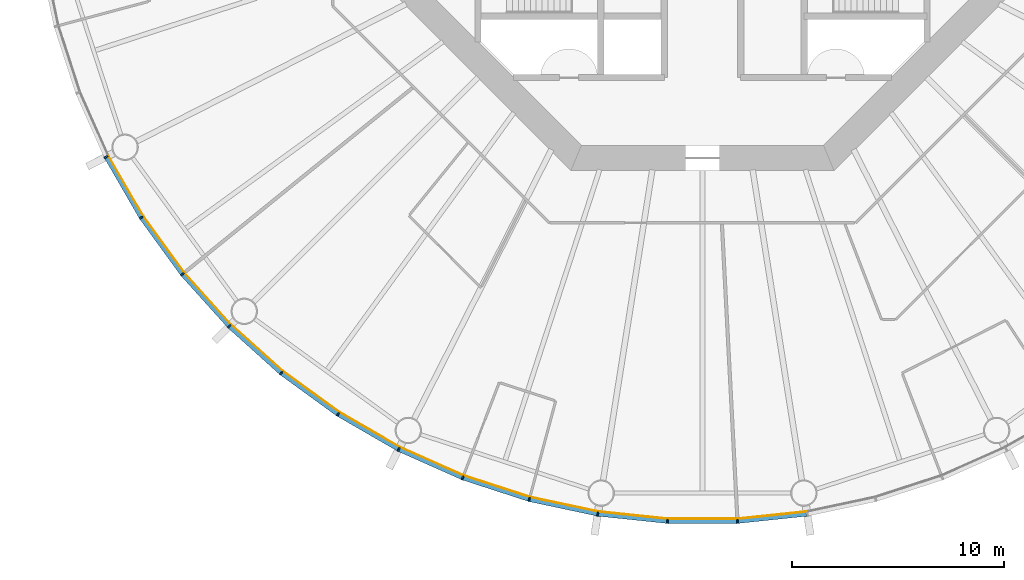
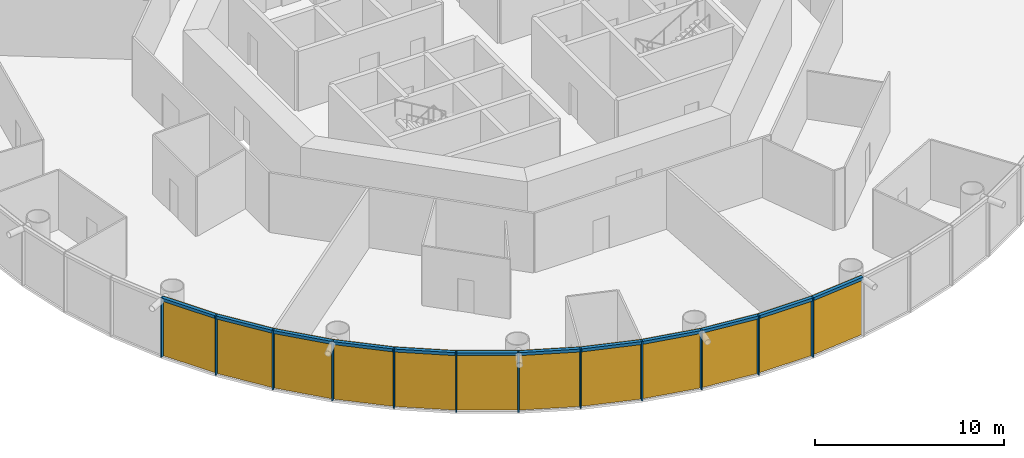
# One storey, part 7 of 13: 24 members, 4 curtain walls.
"""IFC4 building model written with IfcOpenShell, lengths in metres."""

from ifc_helpers import new_model, si_unit, direction, frame, origin, origin_2d, place, context, subcontext, project, spatial, polyline, rectangle, outline, extrude, material, layer, layer_set, material_profile, profile_set, type_object, element, aggregate, save


model = new_model("IFC4")

# Units and contexts
model_context = context("Model", 3, precision=1e-05, world=origin(), true_north=direction((0.0, 1.0)))
body_context = subcontext(model_context, "Body", "Model", "MODEL_VIEW")
ifc_project = project(units=[si_unit("LENGTHUNIT", "METRE"), si_unit("AREAUNIT", "SQUARE_METRE"), si_unit("VOLUMEUNIT", "CUBIC_METRE"), si_unit("PLANEANGLEUNIT", "RADIAN"), si_unit("MASSUNIT", "GRAM", prefix="KILO")], contexts=[model_context])

# Member
ifc_material_1 = material(Name="Anodised aluminium", Category="aluminium")
ifc_material_profile_1 = material_profile(ifc_material_1, rectangle(XDim=0.070068359375, YDim=0.199951171875, at=origin_2d()), Name="Mullion 70 x 200 mm anodised aluminium")
ifc_profile_set_1 = profile_set([ifc_material_profile_1], Name="Anodised aluminium")
member_type_1 = type_object("IfcMemberType", Name="Mullion 70 x 200 mm anodised aluminium", PredefinedType="MULLION", material=ifc_profile_set_1)
site_placement = place(None, origin())
building_placement = place(site_placement, origin())
storey_placement = place(building_placement, frame((0.0, 0.0, 92.0)))
member_1_placement = place(storey_placement, frame((61.84423828125, 65.65380859375, 0.0), z_axis=(0.0, 0.0, 1.0), x_axis=(0.45399049974, -0.891006524188, 0.0)))
member_1 = element("IfcMember", 1, at=member_1_placement, type_object=member_type_1, Name="MULLION L20-33", PredefinedType="MULLION", context=body_context, shape_type="SweptSolid", body=[
    extrude(rectangle(XDim=0.070068359375, YDim=0.199951171875, at=origin_2d()), origin(), (0.0, 0.0, 1.0), 3.85009765625),
])

member_2_placement = place(storey_placement, frame((63.498046875, 62.789306640625, 0.0), z_axis=(0.0, 0.0, 1.0), x_axis=(0.544639035015, -0.838670567945, 0.0)))
member_2 = element("IfcMember", 2, at=member_2_placement, type_object=member_type_1, Name="MULLION L20-34", PredefinedType="MULLION", context=body_context, shape_type="SweptSolid", body=[
    extrude(rectangle(XDim=0.070068359375, YDim=0.199951171875, at=origin_2d()), origin(), (0.0, 0.0, 1.0), 3.85009765625),
])

member_3_placement = place(storey_placement, frame((65.442138671875, 60.113525390625, 0.0), z_axis=(0.0, 0.0, 1.0), x_axis=(0.62932039105, -0.777145961457, 0.0)))
member_3 = element("IfcMember", 3, at=member_3_placement, type_object=member_type_1, Name="MULLION L20-35", PredefinedType="MULLION", context=body_context, shape_type="SweptSolid", body=[
    extrude(rectangle(XDim=0.070068359375, YDim=0.199951171875, at=origin_2d()), origin(), (0.0, 0.0, 1.0), 3.85009765625),
])

member_4_placement = place(storey_placement, frame((67.655517578125, 57.655517578125, 0.0), z_axis=(0.0, 0.0, 1.0), x_axis=(0.707106781187, -0.707106781187, 0.0)))
member_4 = element("IfcMember", 4, at=member_4_placement, type_object=member_type_1, Name="MULLION L20-36", PredefinedType="MULLION", context=body_context, shape_type="SweptSolid", body=[
    extrude(rectangle(XDim=0.070068359375, YDim=0.199951171875, at=origin_2d()), origin(), (0.0, 0.0, 1.0), 3.85009765625),
])

member_5_placement = place(storey_placement, frame((70.113525390625, 55.442138671875, 0.0), z_axis=(0.0, 0.0, 1.0), x_axis=(0.777145961457, -0.62932039105, 0.0)))
member_5 = element("IfcMember", 5, at=member_5_placement, type_object=member_type_1, Name="MULLION L20-37", PredefinedType="MULLION", context=body_context, shape_type="SweptSolid", body=[
    extrude(rectangle(XDim=0.070068359375, YDim=0.199951171875, at=origin_2d()), origin(), (0.0, 0.0, 1.0), 3.85009765625),
])

member_6_placement = place(storey_placement, frame((72.789306640625, 53.498046875, 0.0), z_axis=(0.0, 0.0, 1.0), x_axis=(0.838670567945, -0.544639035015, 0.0)))
member_6 = element("IfcMember", 6, at=member_6_placement, type_object=member_type_1, Name="MULLION L20-38", PredefinedType="MULLION", context=body_context, shape_type="SweptSolid", body=[
    extrude(rectangle(XDim=0.070068359375, YDim=0.199951171875, at=origin_2d()), origin(), (0.0, 0.0, 1.0), 3.85009765625),
])

member_7_placement = place(storey_placement, frame((75.65380859375, 51.84423828125, 0.0), z_axis=(0.0, 0.0, 1.0), x_axis=(0.891006524188, -0.45399049974, 0.0)))
member_7 = element("IfcMember", 7, at=member_7_placement, type_object=member_type_1, Name="MULLION L20-39", PredefinedType="MULLION", context=body_context, shape_type="SweptSolid", body=[
    extrude(rectangle(XDim=0.070068359375, YDim=0.199951171875, at=origin_2d()), origin(), (0.0, 0.0, 1.0), 3.85009765625),
])

member_8_placement = place(storey_placement, frame((78.675537109375, 50.498779296875, 0.0), z_axis=(0.0, 0.0, 1.0), x_axis=(0.933580426497, -0.358367949545, 0.0)))
member_8 = element("IfcMember", 8, at=member_8_placement, type_object=member_type_1, Name="MULLION L20-40", PredefinedType="MULLION", context=body_context, shape_type="SweptSolid", body=[
    extrude(rectangle(XDim=0.070068359375, YDim=0.199951171875, at=origin_2d()), origin(), (0.0, 0.0, 1.0), 3.85009765625),
])

member_9_placement = place(storey_placement, frame((81.8212890625, 49.476806640625, 0.0), z_axis=(0.0, 0.0, 1.0), x_axis=(0.965925826289, -0.258819045103, 0.0)))
member_9 = element("IfcMember", 9, at=member_9_placement, type_object=member_type_1, Name="MULLION L20-41", PredefinedType="MULLION", context=body_context, shape_type="SweptSolid", body=[
    extrude(rectangle(XDim=0.070068359375, YDim=0.199951171875, at=origin_2d()), origin(), (0.0, 0.0, 1.0), 3.85009765625),
])

member_10_placement = place(storey_placement, frame((85.056640625, 48.7890625, 0.0), z_axis=(0.0, 0.0, 1.0), x_axis=(0.987688340595, -0.15643446504, 0.0)))
member_10 = element("IfcMember", 10, at=member_10_placement, type_object=member_type_1, Name="MULLION L20-42", PredefinedType="MULLION", context=body_context, shape_type="SweptSolid", body=[
    extrude(rectangle(XDim=0.070068359375, YDim=0.199951171875, at=origin_2d()), origin(), (0.0, 0.0, 1.0), 3.85009765625),
])

member_11_placement = place(storey_placement, frame((88.34619140625, 48.443359375, 0.0), z_axis=(0.0, 0.0, 1.0), x_axis=(0.998629534755, -0.052335956243, 0.0)))
member_11 = element("IfcMember", 11, at=member_11_placement, type_object=member_type_1, Name="MULLION L20-43", PredefinedType="MULLION", context=body_context, shape_type="SweptSolid", body=[
    extrude(rectangle(XDim=0.070068359375, YDim=0.199951171875, at=origin_2d()), origin(), (0.0, 0.0, 1.0), 3.85009765625),
])

member_12_placement = place(storey_placement, frame((91.65380859375, 48.443359375, 0.0), z_axis=(0.0, 0.0, 1.0), x_axis=(0.998629534755, 0.052335956243, 0.0)))
member_12 = element("IfcMember", 12, at=member_12_placement, type_object=member_type_1, Name="MULLION L20-44", PredefinedType="MULLION", context=body_context, shape_type="SweptSolid", body=[
    extrude(rectangle(XDim=0.070068359375, YDim=0.199951171875, at=origin_2d()), origin(), (0.0, 0.0, 1.0), 3.85009765625),
])

ifc_material_2 = material(Name="Anodised aluminium", Category="aluminium")
ifc_material_profile_2 = material_profile(ifc_material_2, rectangle(XDim=0.199951171875, YDim=0.18994140625, at=origin_2d()), Name="Transom 190 x 200 mm anodised aluminium")
ifc_profile_set_2 = profile_set([ifc_material_profile_2], Name="Anodised aluminium")
member_type_2 = type_object("IfcMemberType", Name="Transom 190 x 200 mm anodised aluminium", PredefinedType="USERDEFINED", material=ifc_profile_set_2)
member_13_placement = place(storey_placement, frame((61.8642578125, 65.618896484375, 3.7548828125), z_axis=(0.500004055213, -0.866023062494, 0.0), x_axis=(0.866023062494, 0.500004055213, 0.0)))
member_13 = element("IfcMember", 13, at=member_13_placement, type_object=member_type_2, Name="TRANSOM L20-33", ObjectType="TRANSOM", PredefinedType="USERDEFINED", context=body_context, shape_type="SweptSolid", body=[
    extrude(rectangle(XDim=0.199951171875, YDim=0.18994140625, at=origin_2d()), origin(), (0.0, 0.0, 1.0), 3.22705078125),
])

member_14_placement = place(storey_placement, frame((63.521484375, 62.7568359375, 3.7548828125), z_axis=(0.587802790201, -0.809004252048, 0.0), x_axis=(0.809004252048, 0.587802790201, 0.0)))
member_14 = element("IfcMember", 14, at=member_14_placement, type_object=member_type_2, Name="TRANSOM L20-34", ObjectType="TRANSOM", PredefinedType="USERDEFINED", context=body_context, shape_type="SweptSolid", body=[
    extrude(rectangle(XDim=0.199951171875, YDim=0.18994140625, at=origin_2d()), origin(), (0.0, 0.0, 1.0), 3.227294921875),
])

member_15_placement = place(storey_placement, frame((65.468994140625, 60.08349609375, 3.7548828125), z_axis=(0.669144438484, -0.743132370743, 0.0), x_axis=(0.743132370743, 0.669144438484, 0.0)))
member_15 = element("IfcMember", 15, at=member_15_placement, type_object=member_type_2, Name="TRANSOM L20-35", ObjectType="TRANSOM", PredefinedType="USERDEFINED", context=body_context, shape_type="SweptSolid", body=[
    extrude(rectangle(XDim=0.199951171875, YDim=0.18994140625, at=origin_2d()), origin(), (0.0, 0.0, 1.0), 3.22705078125),
])

member_16_placement = place(storey_placement, frame((67.685302734375, 57.62841796875, 3.7548828125), z_axis=(0.743132370743, -0.669144438484, 0.0), x_axis=(0.669144438484, 0.743132370743, 0.0)))
member_16 = element("IfcMember", 16, at=member_16_placement, type_object=member_type_2, Name="TRANSOM L20-36", ObjectType="TRANSOM", PredefinedType="USERDEFINED", context=body_context, shape_type="SweptSolid", body=[
    extrude(rectangle(XDim=0.199951171875, YDim=0.18994140625, at=origin_2d()), origin(), (0.0, 0.0, 1.0), 3.22705078125),
])

member_17_placement = place(storey_placement, frame((70.14599609375, 55.41845703125, 3.7548828125), z_axis=(0.809004252048, -0.587802790201, 0.0), x_axis=(0.587802790201, 0.809004252048, 0.0)))
member_17 = element("IfcMember", 17, at=member_17_placement, type_object=member_type_2, Name="TRANSOM L20-37", ObjectType="TRANSOM", PredefinedType="USERDEFINED", context=body_context, shape_type="SweptSolid", body=[
    extrude(rectangle(XDim=0.199951171875, YDim=0.18994140625, at=origin_2d()), origin(), (0.0, 0.0, 1.0), 3.227294921875),
])

member_18_placement = place(storey_placement, frame((72.82421875, 53.477783203125, 3.7548828125), z_axis=(0.866023062494, -0.500004055213, 0.0), x_axis=(0.500004055213, 0.866023062494, 0.0)))
member_18 = element("IfcMember", 18, at=member_18_placement, type_object=member_type_2, Name="TRANSOM L20-38", ObjectType="TRANSOM", PredefinedType="USERDEFINED", context=body_context, shape_type="SweptSolid", body=[
    extrude(rectangle(XDim=0.199951171875, YDim=0.18994140625, at=origin_2d()), origin(), (0.0, 0.0, 1.0), 3.22705078125),
])

member_19_placement = place(storey_placement, frame((75.690673828125, 51.82763671875, 3.7548828125), z_axis=(0.913549291349, -0.406728032322, 0.0), x_axis=(0.406728032322, 0.913549291349, 0.0)))
member_19 = element("IfcMember", 19, at=member_19_placement, type_object=member_type_2, Name="TRANSOM L20-39", ObjectType="TRANSOM", PredefinedType="USERDEFINED", context=body_context, shape_type="SweptSolid", body=[
    extrude(rectangle(XDim=0.199951171875, YDim=0.18994140625, at=origin_2d()), origin(), (0.0, 0.0, 1.0), 3.22705078125),
])

member_20_placement = place(storey_placement, frame((78.7138671875, 50.486328125, 3.7548828125), z_axis=(0.951046855117, -0.309046726844, 0.0), x_axis=(0.309046726844, 0.951046855117, 0.0)))
member_20 = element("IfcMember", 20, at=member_20_placement, type_object=member_type_2, Name="TRANSOM L20-40", ObjectType="TRANSOM", PredefinedType="USERDEFINED", context=body_context, shape_type="SweptSolid", body=[
    extrude(rectangle(XDim=0.199951171875, YDim=0.18994140625, at=origin_2d()), origin(), (0.0, 0.0, 1.0), 3.22705078125),
])

member_21_placement = place(storey_placement, frame((81.860595703125, 49.46826171875, 3.7548828125), z_axis=(0.978153082647, -0.207885898771, 0.0), x_axis=(0.207885898771, 0.978153082647, 0.0)))
member_21 = element("IfcMember", 21, at=member_21_placement, type_object=member_type_2, Name="TRANSOM L20-41", ObjectType="TRANSOM", PredefinedType="USERDEFINED", context=body_context, shape_type="SweptSolid", body=[
    extrude(rectangle(XDim=0.199951171875, YDim=0.18994140625, at=origin_2d()), origin(), (0.0, 0.0, 1.0), 3.227294921875),
])

member_22_placement = place(storey_placement, frame((85.0966796875, 48.78466796875, 3.7548828125), z_axis=(0.994519537956, -0.104550890115, 0.0), x_axis=(0.104550890115, 0.994519537956, 0.0)))
member_22 = element("IfcMember", 22, at=member_22_placement, type_object=member_type_2, Name="TRANSOM L20-42", ObjectType="TRANSOM", PredefinedType="USERDEFINED", context=body_context, shape_type="SweptSolid", body=[
    extrude(rectangle(XDim=0.199951171875, YDim=0.18994140625, at=origin_2d()), origin(), (0.0, 0.0, 1.0), 3.22705078125),
])

member_23_placement = place(storey_placement, frame((88.386474609375, 48.443115234375, 3.7548828125), z_axis=(1.0, 0.0, 0.0), x_axis=(0.0, 1.0, 0.0)))
member_23 = element("IfcMember", 23, at=member_23_placement, type_object=member_type_2, Name="TRANSOM L20-43", ObjectType="TRANSOM", PredefinedType="USERDEFINED", context=body_context, shape_type="SweptSolid", body=[
    extrude(rectangle(XDim=0.199951171875, YDim=0.18994140625, at=origin_2d()), origin(), (0.0, 0.0, 1.0), 3.22705078125),
])

member_24_placement = place(storey_placement, frame((91.69384765625, 48.447265625, 3.7548828125), z_axis=(0.994519537956, 0.104550890115, 0.0), x_axis=(-0.104550890115, 0.994519537956, 0.0)))
member_24 = element("IfcMember", 24, at=member_24_placement, type_object=member_type_2, Name="TRANSOM L20-44", ObjectType="TRANSOM", PredefinedType="USERDEFINED", context=body_context, shape_type="SweptSolid", body=[
    extrude(rectangle(XDim=0.199951171875, YDim=0.18994140625, at=origin_2d()), origin(), (0.0, 0.0, 1.0), 3.22705078125),
])

# Site, building, storey
site = spatial("IfcSite", under=ifc_project, at=site_placement, CompositionType="ELEMENT")
building = spatial("IfcBuilding", under=site, at=building_placement, Name="Entoto Ring Tower", CompositionType="ELEMENT")
storey = spatial("IfcBuildingStorey", under=building, at=storey_placement, Name="L20", CompositionType="ELEMENT", Elevation=92.0)

# Curtain wall
ifc_material_3 = material(Name="Clear low-iron glass", Category="glass")
ifc_layer = layer(ifc_material_3, 0.035888671875)
ifc_layer_set = layer_set([ifc_layer], Name="Clear low-iron glass")
curtain_wall_type = type_object("IfcCurtainWallType", Name="Curtain wall system CW2 glazing 36 mm", PredefinedType="NOTDEFINED", material=ifc_layer_set)
curtain_wall_1_placement = place(storey_placement, origin())
curtain_wall_1 = element("IfcCurtainWall", 25, at=curtain_wall_1_placement, inside=storey, type_object=curtain_wall_type, Name="CW2 L20-12", PredefinedType="NOTDEFINED", context=body_context, shape_type="SweptSolid", body=[
    extrude(outline(polyline([(61.933349609375, 65.69921875), (63.581787109375, 62.84375), (65.52001953125, 60.176513671875), (67.72607421875, 57.72607421875), (67.751708984375, 57.751708984375), (65.5478515625, 60.198974609375), (63.612060546875, 62.863525390625), (61.96533203125, 65.715576171875), (61.933349609375, 65.69921875)])), origin(), (0.0, 0.0, 1.0), 3.85009765625),
])

aggregate(curtain_wall_1, [member_1, member_2, member_3, member_13, member_14, member_15])

curtain_wall_2_placement = place(storey_placement, origin())
curtain_wall_2 = element("IfcCurtainWall", 26, at=curtain_wall_2_placement, inside=storey, type_object=curtain_wall_type, Name="CW2 L20-13", PredefinedType="NOTDEFINED", context=body_context, shape_type="SweptSolid", body=[
    extrude(outline(polyline([(67.72607421875, 57.72607421875), (70.176513671875, 55.52001953125), (72.84375, 53.581787109375), (75.69921875, 51.933349609375), (75.715576171875, 51.96533203125), (72.863525390625, 53.612060546875), (70.198974609375, 55.5478515625), (67.751708984375, 57.751708984375), (67.72607421875, 57.72607421875)])), origin(), (0.0, 0.0, 1.0), 3.85009765625),
])

aggregate(curtain_wall_2, [member_4, member_5, member_6, member_16, member_17, member_18])

curtain_wall_3_placement = place(storey_placement, origin())
curtain_wall_3 = element("IfcCurtainWall", 27, at=curtain_wall_3_placement, inside=storey, type_object=curtain_wall_type, Name="CW2 L20-14", PredefinedType="NOTDEFINED", context=body_context, shape_type="SweptSolid", body=[
    extrude(outline(polyline([(75.69921875, 51.933349609375), (78.71142578125, 50.59228515625), (81.84716796875, 49.5732421875), (85.072265625, 48.8876953125), (85.077880859375, 48.92333984375), (81.8564453125, 49.608154296875), (78.724365234375, 50.6259765625), (75.715576171875, 51.96533203125), (75.69921875, 51.933349609375)])), origin(), (0.0, 0.0, 1.0), 3.85009765625),
])

aggregate(curtain_wall_3, [member_7, member_8, member_9, member_19, member_20, member_21])

curtain_wall_4_placement = place(storey_placement, origin())
curtain_wall_4 = element("IfcCurtainWall", 28, at=curtain_wall_4_placement, inside=storey, type_object=curtain_wall_type, Name="CW2 L20-15", PredefinedType="NOTDEFINED", context=body_context, shape_type="SweptSolid", body=[
    extrude(outline(polyline([(85.072265625, 48.8876953125), (88.351318359375, 48.543212890625), (91.648681640625, 48.543212890625), (94.927734375, 48.8876953125), (94.922119140625, 48.92333984375), (91.646728515625, 48.5791015625), (88.353271484375, 48.5791015625), (85.077880859375, 48.92333984375), (85.072265625, 48.8876953125)])), origin(), (0.0, 0.0, 1.0), 3.85009765625),
])

aggregate(curtain_wall_4, [member_10, member_11, member_12, member_22, member_23, member_24])

save(model, "model.ifc")
